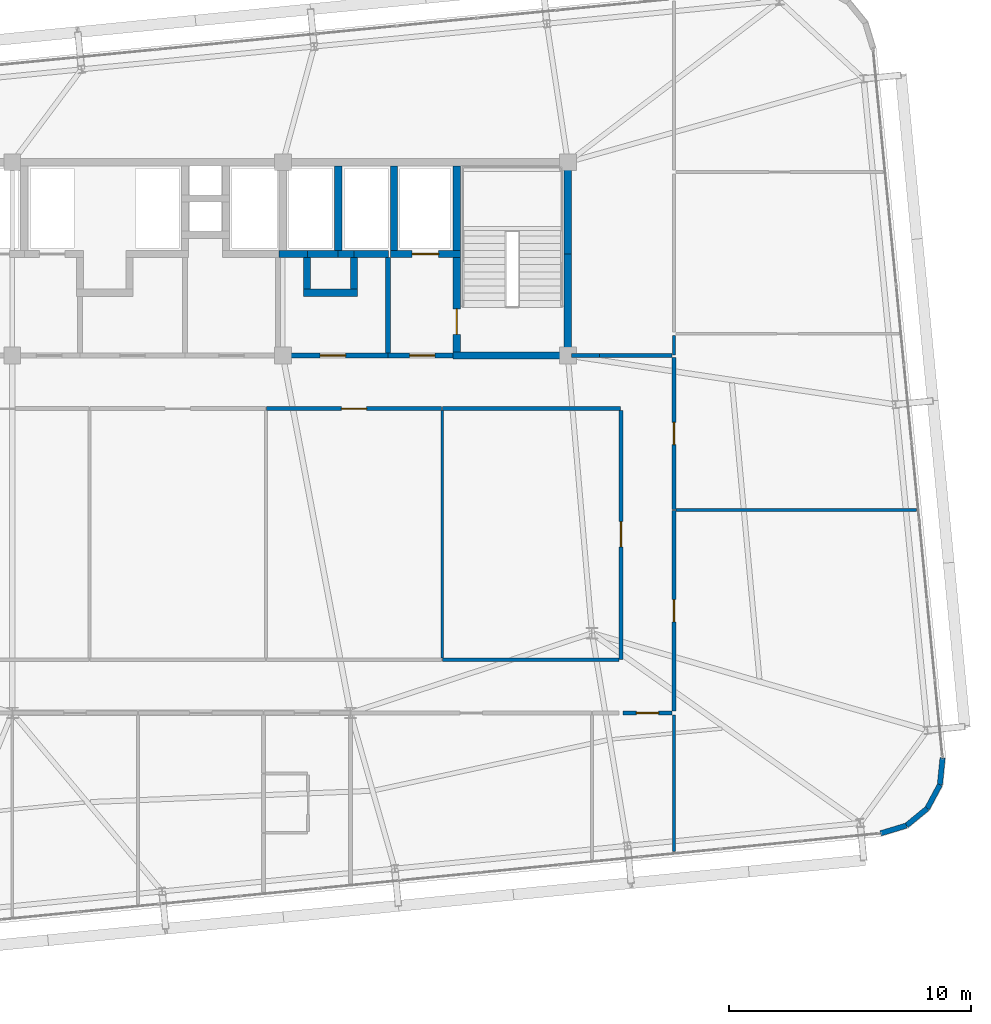
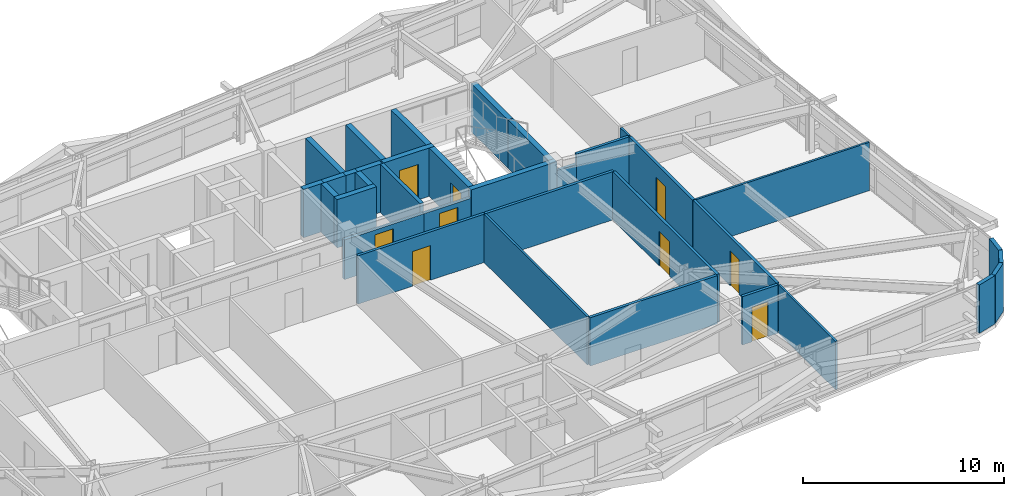
# One storey, part 48 of 52: 35 walls, 9 doors, 9 openings.
"""IFC4 building model written with IfcOpenShell, lengths in metres."""

from ifc_helpers import new_model, si_unit, direction, frame, frame_2d, origin, place, context, subcontext, project, spatial, rectangle, extrude, source, transform, mapped, material, layer, layer_set, type_object, element, fill, save


model = new_model("IFC4")

# Units and contexts
model_context = context("Model", 3, precision=1e-05, world=origin(), true_north=direction((0.0, 1.0)))
body_context = subcontext(model_context, "Body", "Model", "MODEL_VIEW")
ifc_project = project(units=[si_unit("LENGTHUNIT", "METRE"), si_unit("AREAUNIT", "SQUARE_METRE"), si_unit("VOLUMEUNIT", "CUBIC_METRE"), si_unit("PLANEANGLEUNIT", "RADIAN"), si_unit("MASSUNIT", "GRAM", prefix="KILO")], contexts=[model_context])

# Site, building, storey
site_placement = place(None, origin())
site = spatial("IfcSite", under=ifc_project, at=site_placement, CompositionType="ELEMENT")
building_placement = place(site_placement, origin())
building = spatial("IfcBuilding", under=site, at=building_placement, Name="Taldren Reach Tower", CompositionType="ELEMENT")
storey_placement = place(building_placement, frame((0.0, 0.0, 96.60009765625)))
storey = spatial("IfcBuildingStorey", under=building, at=storey_placement, Name="L29", CompositionType="ELEMENT", Elevation=96.60009765625)

# Walls
ifc_material_1 = material(Name="Pale Champagne Anodised Aluminium Cladding", Category="aluminium")
ifc_layer_1 = layer(ifc_material_1, 0.04, Name="Pale Champagne Anodised Aluminium Cladding", Category="aluminium")
ifc_material_2 = material(Name="Mineral Wool Acoustic Insulation", Category="insulation")
ifc_layer_2 = layer(ifc_material_2, 0.06, Name="Mineral Wool Acoustic Insulation", Category="insulation")
ifc_material_3 = material(Name="Steel Gr 350 (C350L0)", Category="steel")
ifc_layer_3 = layer(ifc_material_3, 0.12, Name="Steel Gr 350 (C350L0)", Category="steel")
ifc_layer_set_1 = layer_set([ifc_layer_1, ifc_layer_2, ifc_layer_3], Name="Pale Champagne Aluminium Cladding and Steel Gr 350 Stud Framing")
wall_type_1 = type_object("IfcWallType", Name="EW-CRN-220", PredefinedType="SOLIDWALL", material=ifc_layer_set_1)
shared_shape_1 = source(origin(), body_context, "Body", "SweptSolid", [
    extrude(rectangle(XDim=1.115966796875, YDim=0.219970703125, at=frame_2d((0.55810546875, 0.0))), origin(), (0.0, 0.0, 1.0), 2.929931640625),
])
for number, where, z_axis, x_axis, name in (
    (1, (65.01708984375, 4.537109375, 0.0), (0.0, 0.0, 1.0), (0.773342870285, 0.633988016432, 0.0), "Rounded-corner pale-metal facade wall L29-SE2"),
    (2, (66.406494140625, 6.228515625, 0.0), (0.0, 0.0, 1.0), (0.09844234778, 0.995142755671, 0.0), "Rounded-corner pale-metal facade wall L29-SE4"),
):
    element("IfcWall", number, at=place(storey_placement, frame(where, z_axis=z_axis, x_axis=x_axis)), inside=storey, type_object=wall_type_1, Name=name, PredefinedType="SOLIDWALL", context=body_context, shape_type="MappedRepresentation", body=[
        mapped(shared_shape_1, transform((0.0, 0.0, 0.0), scale=1.0)),
    ])
shared_shape_2 = source(origin(), body_context, "Body", "SweptSolid", [
    extrude(rectangle(XDim=1.11572265625, YDim=0.219970703125, at=frame_2d((0.557861328125, 0.0))), origin(), (0.0, 0.0, 1.0), 2.929931640625),
])
for number, where, z_axis, x_axis, name in (
    (3, (63.94921875, 4.213623046875, 0.0), (0.0, 0.0, 1.0), (0.957052003726, 0.289916301997, 0.0), "Rounded-corner pale-metal facade wall L29-SE1"),
    (4, (65.880126953125, 5.24462890625, 0.0), (0.0, 0.0, 1.0), (0.471723463201, 0.881746547635, 0.0), "Rounded-corner pale-metal facade wall L29-SE3"),
):
    element("IfcWall", number, at=place(storey_placement, frame(where, z_axis=z_axis, x_axis=x_axis)), inside=storey, type_object=wall_type_1, Name=name, PredefinedType="SOLIDWALL", context=body_context, shape_type="MappedRepresentation", body=[
        mapped(shared_shape_2, transform((0.0, 0.0, 0.0), scale=1.0)),
    ])

# Wall, opening, door
ifc_material_4 = material(Name="Fire-Rated Acoustic Plasterboard Stud Wall", Category="gypsum")
ifc_layer_4 = layer(ifc_material_4, 0.159912109375)
ifc_layer_set_2 = layer_set([ifc_layer_4], Name="Fire-Rated Acoustic Plasterboard Stud Wall")
wall_type_2 = type_object("IfcWallType", Name="IW-FIRE-160", PredefinedType="PARTITIONING", material=ifc_layer_set_2)
shared_shape_3 = source(origin(), body_context, "Body", "SweptSolid", [
    extrude(rectangle(XDim=10.2998046875, YDim=0.159912109375, at=frame_2d((5.14990234375, 0.0))), origin(), (0.0, 0.0, 1.0), 2.929931640625),
])
wall_1_placement = place(storey_placement, frame((53.199951171875, 11.420166015625, 0.0), z_axis=(0.0, 0.0, 1.0), x_axis=(0.0, 1.0, 0.0)))
wall_1 = element("IfcWall", 5, at=wall_1_placement, inside=storey, type_object=wall_type_2, Name="Interior Partition Wall W-INT-L29-052", PredefinedType="PARTITIONING", context=body_context, shape_type="MappedRepresentation", body=[
    mapped(shared_shape_3, transform((0.0, 0.0, 0.0), scale=1.0)),
])
shared_shape_4 = source(origin(), body_context, "Body", "SweptSolid", [
    extrude(rectangle(XDim=1.050048828125, YDim=2.10009765625, at=frame_2d((0.52490234375, 1.050048828125))), frame((0.0, 0.08984375, 0.0), z_axis=(0.0, -1.0, 0.0), x_axis=(1.0, 0.0, 0.0)), (0.0, 0.0, 1.0), 0.179931640625),
])
opening_1_placement = place(wall_1_placement, frame((4.65478515625, 0.0, 0.0)))
opening_1 = element("IfcOpeningElement", 6, at=opening_1_placement, cuts=wall_1, Name="Opening DF-105", PredefinedType="OPENING", context=body_context, shape_type="MappedRepresentation", body=[
    mapped(shared_shape_4, transform((0.0, 0.0, 0.0), scale=1.0)),
])
ifc_material_5 = material(Name="Fire-Rated Care and Stair Exit Door")
door_type_1 = type_object("IfcDoorType", Name="ID-FIRE-105", OperationType="NOTDEFINED", PredefinedType="DOOR", material=ifc_material_5)
shared_shape_5 = source(origin(), body_context, "Body", "SweptSolid", [
    extrude(rectangle(XDim=1.050048828125, YDim=2.10009765625, at=frame_2d((0.52490234375, 1.050048828125))), frame((0.0, 0.02490234375, 0.0), z_axis=(0.0, -1.0, 0.0), x_axis=(1.0, 0.0, 0.0)), (0.0, 0.0, 1.0), 0.050048828125),
])
door_1_placement = place(opening_1_placement, origin())
door_1 = element("IfcDoor", 7, at=door_1_placement, inside=storey, type_object=door_type_1, Name="Interior Door DR-L29-013", OperationType="SINGLE_SWING_RIGHT", OverallHeight=2.10009765625, OverallWidth=1.050048828125, PredefinedType="DOOR", context=body_context, shape_type="MappedRepresentation", body=[
    mapped(shared_shape_5, transform((0.0, 0.0, 0.0), scale=1.0)),
])
fill(opening_1, door_1)

shared_shape_6 = source(origin(), body_context, "Body", "SweptSolid", [
    extrude(rectangle(XDim=2.0400390625, YDim=0.159912109375, at=frame_2d((1.02001953125, 0.0))), origin(), (0.0, 0.0, 1.0), 2.929931640625),
])
wall_2_placement = place(storey_placement, frame((55.320068359375, 9.199951171875, 0.0), z_axis=(0.0, 0.0, 1.0), x_axis=(-1.0, 0.0, 0.0)))
wall_2 = element("IfcWall", 8, at=wall_2_placement, inside=storey, type_object=wall_type_2, Name="Interior Partition Wall W-INT-L29-055", PredefinedType="PARTITIONING", context=body_context, shape_type="MappedRepresentation", body=[
    mapped(shared_shape_6, transform((0.0, 0.0, 0.0), scale=1.0)),
])
shared_shape_7 = source(origin(), body_context, "Body", "SweptSolid", [
    extrude(rectangle(XDim=0.919921875, YDim=2.10009765625, at=frame_2d((0.4599609375, 1.050048828125))), frame((0.0, 0.08984375, 0.0), z_axis=(0.0, -1.0, 0.0), x_axis=(1.0, 0.0, 0.0)), (0.0, 0.0, 1.0), 0.179931640625),
])
opening_2_placement = place(wall_2_placement, frame((0.56005859375, 0.0, 0.0)))
opening_2 = element("IfcOpeningElement", 9, at=opening_2_placement, cuts=wall_2, Name="Opening DI-092", PredefinedType="OPENING", context=body_context, shape_type="MappedRepresentation", body=[
    mapped(shared_shape_7, transform((0.0, 0.0, 0.0), scale=1.0)),
])
ifc_material_6 = material(Name="Solid-Core Timber Suite Door", Category="wood")
door_type_2 = type_object("IfcDoorType", Name="ID-INT-092", OperationType="NOTDEFINED", PredefinedType="DOOR", material=ifc_material_6)
shared_shape_8 = source(origin(), body_context, "Body", "SweptSolid", [
    extrude(rectangle(XDim=0.919921875, YDim=2.10009765625, at=frame_2d((0.4599609375, 1.050048828125))), frame((0.0, 0.02490234375, 0.0), z_axis=(0.0, -1.0, 0.0), x_axis=(1.0, 0.0, 0.0)), (0.0, 0.0, 1.0), 0.050048828125),
])
door_2_placement = place(opening_2_placement, origin())
door_2 = element("IfcDoor", 10, at=door_2_placement, inside=storey, type_object=door_type_2, Name="Interior Door DR-L29-015", OperationType="SINGLE_SWING_RIGHT", OverallHeight=2.10009765625, OverallWidth=0.919921875, PredefinedType="DOOR", context=body_context, shape_type="MappedRepresentation", body=[
    mapped(shared_shape_8, transform((0.0, 0.0, 0.0), scale=1.0)),
])
fill(opening_2, door_2)

ifc_material_7 = material(Name="Concrete S50 (50 MPa)", Category="concrete")
ifc_layer_5 = layer(ifc_material_7, 0.199951171875)
ifc_layer_set_3 = layer_set([ifc_layer_5], Name="Concrete S50 (50 MPa)")
wall_type_3 = type_object("IfcWallType", Name="IW-CORE-200", PredefinedType="SOLIDWALL", material=ifc_layer_set_3)
shared_shape_9 = source(origin(), body_context, "Body", "SweptSolid", [
    extrude(rectangle(XDim=4.550048828125, YDim=0.199951171875, at=frame_2d((2.27490234375, 0.0))), origin(), (0.0, 0.0, 1.0), 2.39697265625),
])
wall_3_placement = place(storey_placement, frame((43.550048828125, 24.0, 0.0), z_axis=(0.0, 0.0, 1.0), x_axis=(-1.0, 0.0, 0.0)))
wall_3 = element("IfcWall", 11, at=wall_3_placement, inside=storey, type_object=wall_type_3, Name="Rear Core Shear Wall W-INT-L29-046", PredefinedType="SOLIDWALL", context=body_context, shape_type="MappedRepresentation", body=[
    mapped(shared_shape_9, transform((0.0, 0.0, 0.0), scale=1.0)),
])
shared_shape_10 = source(origin(), body_context, "Body", "SweptSolid", [
    extrude(rectangle(XDim=1.050048828125, YDim=2.10009765625, at=frame_2d((0.52490234375, 1.050048828125))), frame((0.0, 0.10986328125, 0.0), z_axis=(0.0, -1.0, 0.0), x_axis=(1.0, 0.0, 0.0)), (0.0, 0.0, 1.0), 0.219970703125),
])
opening_3_placement = place(wall_3_placement, frame((1.75, 0.0, 0.0)))
opening_3 = element("IfcOpeningElement", 12, at=opening_3_placement, cuts=wall_3, Name="Opening DF-105", PredefinedType="OPENING", context=body_context, shape_type="MappedRepresentation", body=[
    mapped(shared_shape_10, transform((0.0, 0.0, 0.0), scale=1.0)),
])
door_3_placement = place(opening_3_placement, frame((1.050048828125, 0.0, 0.0), z_axis=(0.0, 0.0, 1.0), x_axis=(-1.0, 0.0, 0.0)))
door_3 = element("IfcDoor", 13, at=door_3_placement, inside=storey, type_object=door_type_1, Name="Interior Door DR-L29-008", OperationType="SINGLE_SWING_RIGHT", OverallHeight=2.10009765625, OverallWidth=1.050048828125, PredefinedType="DOOR", context=body_context, shape_type="MappedRepresentation", body=[
    mapped(shared_shape_5, transform((0.0, 0.0, 0.0), scale=1.0)),
])
fill(opening_3, door_3)

shared_shape_11 = source(origin(), body_context, "Body", "SweptSolid", [
    extrude(rectangle(XDim=7.259521484375, YDim=0.159912109375, at=frame_2d((3.6298828125, 0.0))), origin(), (0.0, 0.0, 1.0), 2.929931640625),
])
wall_4_placement = place(storey_placement, frame((45.77978515625, 21.800048828125, 0.0), z_axis=(0.0, 0.0, 1.0), x_axis=(-1.0, 0.0, 0.0)))
wall_4 = element("IfcWall", 14, at=wall_4_placement, inside=storey, type_object=wall_type_2, Name="Interior Partition Wall W-INT-L29-051", PredefinedType="PARTITIONING", context=body_context, shape_type="MappedRepresentation", body=[
    mapped(shared_shape_11, transform((0.0, 0.0, 0.0), scale=1.0)),
])
opening_4_placement = place(wall_4_placement, frame((3.104736328125, 0.0, 0.0)))
opening_4 = element("IfcOpeningElement", 15, at=opening_4_placement, cuts=wall_4, Name="Opening DF-105", PredefinedType="OPENING", context=body_context, shape_type="MappedRepresentation", body=[
    mapped(shared_shape_4, transform((0.0, 0.0, 0.0), scale=1.0)),
])
door_4_placement = place(opening_4_placement, origin())
door_4 = element("IfcDoor", 16, at=door_4_placement, inside=storey, type_object=door_type_1, Name="Interior Door DR-L29-012", OperationType="SINGLE_SWING_LEFT", OverallHeight=2.10009765625, OverallWidth=1.050048828125, PredefinedType="DOOR", context=body_context, shape_type="MappedRepresentation", body=[
    mapped(shared_shape_5, transform((0.0, 0.0, 0.0), scale=1.0)),
])
fill(opening_4, door_4)

# Walls
shared_shape_12 = source(origin(), body_context, "Body", "SweptSolid", [
    extrude(rectangle(XDim=7.359375, YDim=0.159912109375, at=frame_2d((3.6796875, 0.0))), origin(), (0.0, 0.0, 1.0), 2.929931640625),
])
wall_5_placement = place(storey_placement, frame((53.1796875, 21.800048828125, 0.0), z_axis=(0.0, 0.0, 1.0), x_axis=(-1.0, 0.0, 0.0)))
element("IfcWall", 17, at=wall_5_placement, inside=storey, type_object=wall_type_2, Name="Interior Partition Wall W-INT-L29-053", PredefinedType="PARTITIONING", context=body_context, shape_type="MappedRepresentation", body=[
    mapped(shared_shape_12, transform((0.0, 0.0, 0.0), scale=1.0)),
])
shared_shape_13 = source(origin(), body_context, "Body", "SweptSolid", [
    extrude(rectangle(XDim=7.2998046875, YDim=0.159912109375, at=frame_2d((3.64990234375, 0.0))), origin(), (0.0, 0.0, 1.0), 2.929931640625),
])
wall_6_placement = place(storey_placement, frame((45.8203125, 11.39990234375, 0.0), z_axis=(0.0, 0.0, 1.0), x_axis=(1.0, 0.0, 0.0)))
element("IfcWall", 18, at=wall_6_placement, inside=storey, type_object=wall_type_2, Name="Interior Partition Wall W-INT-L29-066", PredefinedType="PARTITIONING", context=body_context, shape_type="MappedRepresentation", body=[
    mapped(shared_shape_13, transform((0.0, 0.0, 0.0), scale=1.0)),
])
ifc_material_8 = material(Name="Insulated Residential Stud Partition", Category="gypsum")
ifc_layer_6 = layer(ifc_material_8, 0.1201171875)
ifc_layer_set_4 = layer_set([ifc_layer_6], Name="Insulated Residential Stud Partition")
wall_type_4 = type_object("IfcWallType", Name="IW-PART-120", PredefinedType="PARTITIONING", material=ifc_layer_set_4)
shared_shape_14 = source(origin(), body_context, "Body", "SweptSolid", [
    extrude(rectangle(XDim=10.239990234375, YDim=0.1201171875, at=frame_2d((5.1201171875, 0.0))), origin(), (0.0, 0.0, 1.0), 2.929931640625),
])
wall_7_placement = place(storey_placement, frame((45.800048828125, 21.719970703125, 0.0), z_axis=(0.0, 0.0, 1.0), x_axis=(0.0, -1.0, 0.0)))
element("IfcWall", 19, at=wall_7_placement, inside=storey, type_object=wall_type_4, Name="Interior Partition Wall W-INT-L29-077", PredefinedType="PARTITIONING", context=body_context, shape_type="MappedRepresentation", body=[
    mapped(shared_shape_14, transform((0.0, 0.0, 0.0), scale=1.0)),
])
ifc_material_9 = material(Name="Concrete S65 (65 MPa)", Category="concrete")
ifc_layer_7 = layer(ifc_material_9, 0.300048828125)
ifc_layer_set_5 = layer_set([ifc_layer_7], Name="Concrete S65 (65 MPa)")
wall_type_5 = type_object("IfcWallType", Name="IW-CORE-300", PredefinedType="SHEAR", material=ifc_layer_set_5)
shared_shape_15 = source(origin(), body_context, "Body", "SweptSolid", [
    extrude(rectangle(XDim=4.050048828125, YDim=0.300048828125, at=frame_2d((2.02490234375, 0.0))), origin(), (0.0, 0.0, 1.0), 2.929931640625),
])
wall_8_placement = place(storey_placement, frame((51.0, 24.14990234375, 0.0), z_axis=(0.0, 0.0, 1.0), x_axis=(0.0, 1.0, 0.0)))
element("IfcWall", 20, at=wall_8_placement, inside=storey, type_object=wall_type_5, Name="Rear Core Shear Wall W-CORE-L29-EAST1", PredefinedType="SHEAR", context=body_context, shape_type="MappedRepresentation", body=[
    mapped(shared_shape_15, transform((0.0, 0.0, 0.0), scale=1.0)),
])
shared_shape_16 = source(origin(), body_context, "Body", "SweptSolid", [
    extrude(rectangle(XDim=3.650146484375, YDim=0.300048828125, at=frame_2d((1.8251953125, 0.0))), origin(), (0.0, 0.0, 1.0), 2.929931640625),
])
wall_9_placement = place(storey_placement, frame((51.0, 28.199951171875, 0.0), z_axis=(0.0, 0.0, 1.0), x_axis=(0.0, 1.0, 0.0)))
element("IfcWall", 21, at=wall_9_placement, inside=storey, type_object=wall_type_5, Name="Rear Core Shear Wall W-CORE-L29-EAST2", PredefinedType="SHEAR", context=body_context, shape_type="MappedRepresentation", body=[
    mapped(shared_shape_16, transform((0.0, 0.0, 0.0), scale=1.0)),
])
shared_shape_17 = source(origin(), body_context, "Body", "SweptSolid", [
    extrude(rectangle(XDim=3.5, YDim=0.300048828125, at=frame_2d((1.75, 0.0))), origin(), (0.0, 0.0, 1.0), 2.929931640625),
])
for number, where, z_axis, x_axis, name in (
    (22, (46.39990234375, 31.85009765625, 0.0), (0.0, 0.0, 1.0), (0.0, -1.0, 0.0), "Rear Core Shear Wall W-INT-L29-008"),
    (23, (43.800048828125, 31.85009765625, 0.0), (0.0, 0.0, 1.0), (0.0, -1.0, 0.0), "Rear Core Shear Wall W-INT-L29-012"),
    (24, (41.5, 28.35009765625, 0.0), (0.0, 0.0, 1.0), (0.0, 1.0, 0.0), "Rear Core Shear Wall W-INT-L29-039"),
):
    element("IfcWall", number, at=place(storey_placement, frame(where, z_axis=z_axis, x_axis=x_axis)), inside=storey, type_object=wall_type_5, Name=name, PredefinedType="SHEAR", context=body_context, shape_type="MappedRepresentation", body=[
        mapped(shared_shape_17, transform((0.0, 0.0, 0.0), scale=1.0)),
    ])

# Wall, opening, door
shared_shape_18 = source(origin(), body_context, "Body", "SweptSolid", [
    extrude(rectangle(XDim=3.900146484375, YDim=0.300048828125, at=frame_2d((1.9501953125, 0.0))), origin(), (0.0, 0.0, 1.0), 2.929931640625),
])
wall_10_placement = place(storey_placement, frame((46.39990234375, 28.050048828125, 0.0), z_axis=(0.0, 0.0, 1.0), x_axis=(0.0, -1.0, 0.0)))
wall_10 = element("IfcWall", 25, at=wall_10_placement, inside=storey, type_object=wall_type_5, Name="Rear Core Shear Wall W-INT-L29-009", PredefinedType="SHEAR", context=body_context, shape_type="MappedRepresentation", body=[
    mapped(shared_shape_18, transform((0.0, 0.0, 0.0), scale=1.0)),
])
shared_shape_19 = source(origin(), body_context, "Body", "SweptSolid", [
    extrude(rectangle(XDim=1.050048828125, YDim=2.10009765625, at=frame_2d((0.52490234375, 1.050048828125))), frame((0.0, 0.16015625, 0.0), z_axis=(0.0, -1.0, 0.0), x_axis=(1.0, 0.0, 0.0)), (0.0, 0.0, 1.0), 0.320068359375),
])
opening_5_placement = place(wall_10_placement, frame((2.125, 0.0, 0.0)))
opening_5 = element("IfcOpeningElement", 26, at=opening_5_placement, cuts=wall_10, Name="Opening DF-105", PredefinedType="OPENING", context=body_context, shape_type="MappedRepresentation", body=[
    mapped(shared_shape_19, transform((0.0, 0.0, 0.0), scale=1.0)),
])
door_5_placement = place(opening_5_placement, origin())
door_5 = element("IfcDoor", 27, at=door_5_placement, inside=storey, type_object=door_type_1, Name="Fire Exit Stair Door DR-L29-003", OperationType="SINGLE_SWING_RIGHT", OverallHeight=2.10009765625, OverallWidth=1.050048828125, PredefinedType="DOOR", context=body_context, shape_type="MappedRepresentation", body=[
    mapped(shared_shape_5, transform((0.0, 0.0, 0.0), scale=1.0)),
])
fill(opening_5, door_5)

# Wall
shared_shape_20 = source(origin(), body_context, "Body", "SweptSolid", [
    extrude(rectangle(XDim=4.89990234375, YDim=0.300048828125, at=frame_2d((2.449951171875, 0.0))), origin(), (0.0, 0.0, 1.0), 2.929931640625),
])
wall_11_placement = place(storey_placement, frame((46.25, 24.0, 0.0), z_axis=(0.0, 0.0, 1.0), x_axis=(1.0, 0.0, 0.0)))
element("IfcWall", 28, at=wall_11_placement, inside=storey, type_object=wall_type_5, Name="Rear Core Shear Wall W-INT-L29-010", PredefinedType="SHEAR", context=body_context, shape_type="MappedRepresentation", body=[
    mapped(shared_shape_20, transform((0.0, 0.0, 0.0), scale=1.0)),
])

# Wall, opening, door
shared_shape_21 = source(origin(), body_context, "Body", "SweptSolid", [
    extrude(rectangle(XDim=2.900146484375, YDim=0.300048828125, at=frame_2d((1.4501953125, 0.0))), origin(), (0.0, 0.0, 1.0), 2.929931640625),
])
wall_12_placement = place(storey_placement, frame((43.64990234375, 28.199951171875, 0.0), z_axis=(0.0, 0.0, 1.0), x_axis=(1.0, 0.0, 0.0)))
wall_12 = element("IfcWall", 29, at=wall_12_placement, inside=storey, type_object=wall_type_5, Name="Rear Core Shear Wall W-INT-L29-011", PredefinedType="SHEAR", context=body_context, shape_type="MappedRepresentation", body=[
    mapped(shared_shape_21, transform((0.0, 0.0, 0.0), scale=1.0)),
])
shared_shape_22 = source(origin(), body_context, "Body", "SweptSolid", [
    extrude(rectangle(XDim=1.10009765625, YDim=2.14990234375, at=frame_2d((0.550048828125, 1.074951171875))), frame((0.0, 0.16015625, 0.0), z_axis=(0.0, -1.0, 0.0), x_axis=(1.0, 0.0, 0.0)), (0.0, 0.0, 1.0), 0.320068359375),
])
opening_6_placement = place(wall_12_placement, frame((0.89990234375, 0.0, 0.0)))
opening_6 = element("IfcOpeningElement", 30, at=opening_6_placement, cuts=wall_12, Name="Opening LD-FL2", PredefinedType="OPENING", context=body_context, shape_type="MappedRepresentation", body=[
    mapped(shared_shape_22, transform((0.0, 0.0, 0.0), scale=1.0)),
])
ifc_material_10 = material(Name="Stainless Steel Gr 316 Emergency Lift Landing Door", Category="steel")
door_type_3 = type_object("IfcDoorType", Name="LD-EMG-110", OperationType="SLIDING_TO_LEFT", PredefinedType="DOOR", material=ifc_material_10)
shared_shape_23 = source(origin(), body_context, "Body", "SweptSolid", [
    extrude(rectangle(XDim=1.10009765625, YDim=2.14990234375, at=frame_2d((0.550048828125, 1.074951171875))), frame((0.0, 0.02490234375, 0.0), z_axis=(0.0, -1.0, 0.0), x_axis=(1.0, 0.0, 0.0)), (0.0, 0.0, 1.0), 0.050048828125),
])
door_6_placement = place(opening_6_placement, origin())
door_6 = element("IfcDoor", 31, at=door_6_placement, inside=storey, type_object=door_type_3, Name="Lift Landing Door LD-FL2-L29", OperationType="SLIDING_TO_LEFT", OverallHeight=2.14990234375, OverallWidth=1.10009765625, PredefinedType="DOOR", context=body_context, shape_type="MappedRepresentation", body=[
    mapped(shared_shape_23, transform((0.0, 0.0, 0.0), scale=1.0)),
])
fill(opening_6, door_6)

# Wall
shared_shape_24 = source(origin(), body_context, "Body", "SweptSolid", [
    extrude(rectangle(XDim=3.949951171875, YDim=0.199951171875, at=frame_2d((1.97509765625, 0.0))), origin(), (0.0, 0.0, 1.0), 2.929931640625),
])
wall_13_placement = place(storey_placement, frame((43.550048828125, 28.050048828125, 0.0), z_axis=(0.0, 0.0, 1.0), x_axis=(0.0, -1.0, 0.0)))
element("IfcWall", 32, at=wall_13_placement, inside=storey, type_object=wall_type_3, Name="Rear Core Shear Wall W-INT-L29-013", PredefinedType="SOLIDWALL", context=body_context, shape_type="MappedRepresentation", body=[
    mapped(shared_shape_24, transform((0.0, 0.0, 0.0), scale=1.0)),
])

# Wall, opening, door
shared_shape_25 = source(origin(), body_context, "Body", "SweptSolid", [
    extrude(rectangle(XDim=2.699951171875, YDim=0.199951171875, at=frame_2d((1.35009765625, 0.0))), origin(), (0.0, 0.0, 1.0), 2.39697265625),
])
wall_14_placement = place(storey_placement, frame((43.550048828125, 24.0, 0.0), z_axis=(0.0, 0.0, 1.0), x_axis=(1.0, 0.0, 0.0)))
wall_14 = element("IfcWall", 33, at=wall_14_placement, inside=storey, type_object=wall_type_3, Name="Rear Core Shear Wall W-INT-L29-014", PredefinedType="SOLIDWALL", context=body_context, shape_type="MappedRepresentation", body=[
    mapped(shared_shape_25, transform((0.0, 0.0, 0.0), scale=1.0)),
])
opening_7_placement = place(wall_14_placement, frame((0.89990234375, 0.0, 0.0)))
opening_7 = element("IfcOpeningElement", 34, at=opening_7_placement, cuts=wall_14, Name="Opening DF-105", PredefinedType="OPENING", context=body_context, shape_type="MappedRepresentation", body=[
    mapped(shared_shape_10, transform((0.0, 0.0, 0.0), scale=1.0)),
])
door_7_placement = place(opening_7_placement, origin())
door_7 = element("IfcDoor", 35, at=door_7_placement, inside=storey, type_object=door_type_1, Name="Interior Door DR-L29-004", OperationType="SINGLE_SWING_LEFT", OverallHeight=2.10009765625, OverallWidth=1.050048828125, PredefinedType="DOOR", context=body_context, shape_type="MappedRepresentation", body=[
    mapped(shared_shape_5, transform((0.0, 0.0, 0.0), scale=1.0)),
])
fill(opening_7, door_7)

# Walls
shared_shape_26 = source(origin(), body_context, "Body", "SweptSolid", [
    extrude(rectangle(XDim=1.300048828125, YDim=0.300048828125, at=frame_2d((0.64990234375, 0.0))), origin(), (0.0, 0.0, 1.0), 2.929931640625),
])
for number, where, z_axis, x_axis, name in (
    (36, (40.199951171875, 28.050048828125, 0.0), (0.0, 0.0, 1.0), (0.0, -1.0, 0.0), "Rear Core Shear Wall W-INT-L29-027"),
    (37, (42.14990234375, 26.75, 0.0), (0.0, 0.0, 1.0), (0.0, 1.0, 0.0), "Rear Core Shear Wall W-INT-L29-028"),
):
    element("IfcWall", number, at=place(storey_placement, frame(where, z_axis=z_axis, x_axis=x_axis)), inside=storey, type_object=wall_type_5, Name=name, PredefinedType="SHEAR", context=body_context, shape_type="MappedRepresentation", body=[
        mapped(shared_shape_26, transform((0.0, 0.0, 0.0), scale=1.0)),
    ])
shared_shape_27 = source(origin(), body_context, "Body", "SweptSolid", [
    extrude(rectangle(XDim=1.320068359375, YDim=0.300048828125, at=frame_2d((0.66015625, 0.0))), origin(), (0.0, 0.0, 1.0), 2.929931640625),
])
wall_15_placement = place(storey_placement, frame((41.52001953125, 28.199951171875, 0.0), z_axis=(0.0, 0.0, 1.0), x_axis=(-1.0, 0.0, 0.0)))
element("IfcWall", 38, at=wall_15_placement, inside=storey, type_object=wall_type_5, Name="Rear Core Shear Wall W-INT-L29-024", PredefinedType="SHEAR", context=body_context, shape_type="MappedRepresentation", body=[
    mapped(shared_shape_27, transform((0.0, 0.0, 0.0), scale=1.0)),
])
shared_shape_28 = source(origin(), body_context, "Body", "SweptSolid", [
    extrude(rectangle(XDim=0.669921875, YDim=0.300048828125, at=frame_2d((0.3349609375, 0.0))), origin(), (0.0, 0.0, 1.0), 2.929931640625),
])
wall_16_placement = place(storey_placement, frame((42.14990234375, 28.199951171875, 0.0), z_axis=(0.0, 0.0, 1.0), x_axis=(-1.0, 0.0, 0.0)))
element("IfcWall", 39, at=wall_16_placement, inside=storey, type_object=wall_type_5, Name="Rear Core Shear Wall W-INT-L29-025", PredefinedType="SHEAR", context=body_context, shape_type="MappedRepresentation", body=[
    mapped(shared_shape_28, transform((0.0, 0.0, 0.0), scale=1.0)),
])
shared_shape_29 = source(origin(), body_context, "Body", "SweptSolid", [
    extrude(rectangle(XDim=1.440185546875, YDim=0.300048828125, at=frame_2d((0.72021484375, 0.0))), origin(), (0.0, 0.0, 1.0), 2.929931640625),
])
wall_17_placement = place(storey_placement, frame((42.1298828125, 28.199951171875, 0.0), z_axis=(0.0, 0.0, 1.0), x_axis=(1.0, 0.0, 0.0)))
element("IfcWall", 40, at=wall_17_placement, inside=storey, type_object=wall_type_5, Name="Rear Core Shear Wall W-INT-L29-041", PredefinedType="SHEAR", context=body_context, shape_type="MappedRepresentation", body=[
    mapped(shared_shape_29, transform((0.0, 0.0, 0.0), scale=1.0)),
])
shared_shape_30 = source(origin(), body_context, "Body", "SweptSolid", [
    extrude(rectangle(XDim=1.154541015625, YDim=0.159912109375, at=frame_2d((0.5771484375, 0.0))), origin(), (0.0, 0.0, 1.0), 2.327880859375),
])
wall_18_placement = place(storey_placement, frame((51.14990234375, 24.0, 0.0), z_axis=(0.0, 0.0, 1.0), x_axis=(1.0, 0.0, 0.0)))
element("IfcWall", 41, at=wall_18_placement, inside=storey, type_object=wall_type_2, Name="Interior Partition Wall W-INT-L29-061", PredefinedType="PARTITIONING", context=body_context, shape_type="MappedRepresentation", body=[
    mapped(shared_shape_30, transform((0.0, 0.0, 0.0), scale=1.0)),
])
shared_shape_31 = source(origin(), body_context, "Body", "SweptSolid", [
    extrude(rectangle(XDim=3.015625, YDim=0.159912109375, at=frame_2d((1.5078125, 0.0))), origin(), (0.0, 0.0, 1.0), 2.929931640625),
])
wall_19_placement = place(storey_placement, frame((52.304443359375, 24.0, 0.0), z_axis=(0.0, 0.0, 1.0), x_axis=(1.0, 0.0, 0.0)))
element("IfcWall", 42, at=wall_19_placement, inside=storey, type_object=wall_type_2, Name="Interior Partition Wall W-INT-L29-061 part 2", PredefinedType="PARTITIONING", context=body_context, shape_type="MappedRepresentation", body=[
    mapped(shared_shape_31, transform((0.0, 0.0, 0.0), scale=1.0)),
])
shared_shape_32 = source(origin(), body_context, "Body", "SweptSolid", [
    extrude(rectangle(XDim=2.25, YDim=0.300048828125, at=frame_2d((1.125, 0.0))), origin(), (0.0, 0.0, 1.0), 2.929931640625),
])
wall_20_placement = place(storey_placement, frame((40.050048828125, 26.60009765625, 0.0), z_axis=(0.0, 0.0, 1.0), x_axis=(1.0, 0.0, 0.0)))
element("IfcWall", 43, at=wall_20_placement, inside=storey, type_object=wall_type_5, Name="Rear Core Shear Wall W-INT-L29-026", PredefinedType="SHEAR", context=body_context, shape_type="MappedRepresentation", body=[
    mapped(shared_shape_32, transform((0.0, 0.0, 0.0), scale=1.0)),
])
shared_shape_33 = source(origin(), body_context, "Body", "SweptSolid", [
    extrude(rectangle(XDim=1.169921875, YDim=0.300048828125, at=frame_2d((0.5849609375, 0.0))), origin(), (0.0, 0.0, 1.0), 2.929931640625),
])
wall_21_placement = place(storey_placement, frame((39.050048828125, 28.199951171875, 0.0), z_axis=(0.0, 0.0, 1.0), x_axis=(1.0, 0.0, 0.0)))
element("IfcWall", 44, at=wall_21_placement, inside=storey, type_object=wall_type_5, Name="Rear Core Shear Wall W-INT-L29-040", PredefinedType="SHEAR", context=body_context, shape_type="MappedRepresentation", body=[
    mapped(shared_shape_33, transform((0.0, 0.0, 0.0), scale=1.0)),
])
shared_shape_34 = source(origin(), body_context, "Body", "SweptSolid", [
    extrude(rectangle(XDim=5.657958984375, YDim=0.1201171875, at=frame_2d((2.8291015625, 0.0))), origin(), (0.0, 0.0, 1.0), 2.929931640625),
])
wall_22_placement = place(storey_placement, frame((55.39990234375, 9.117919921875, 0.0), z_axis=(0.0, 0.0, 1.0), x_axis=(0.0, -1.0, 0.0)))
element("IfcWall", 45, at=wall_22_placement, inside=storey, type_object=wall_type_4, Name="Interior Partition Wall W-INT-L29-090", PredefinedType="PARTITIONING", context=body_context, shape_type="MappedRepresentation", body=[
    mapped(shared_shape_34, transform((0.0, 0.0, 0.0), scale=1.0)),
])

# Wall, opening, door
shared_shape_35 = source(origin(), body_context, "Body", "SweptSolid", [
    extrude(rectangle(XDim=8.2998046875, YDim=0.159912109375, at=frame_2d((4.14990234375, 0.0))), origin(), (0.0, 0.0, 1.0), 2.929931640625),
])
wall_23_placement = place(storey_placement, frame((55.39990234375, 17.579833984375, 0.0), z_axis=(0.0, 0.0, 1.0), x_axis=(0.0, -1.0, 0.0)))
wall_23 = element("IfcWall", 46, at=wall_23_placement, inside=storey, type_object=wall_type_2, Name="Interior Partition Wall W-INT-L29-058", PredefinedType="PARTITIONING", context=body_context, shape_type="MappedRepresentation", body=[
    mapped(shared_shape_35, transform((0.0, 0.0, 0.0), scale=1.0)),
])
opening_8_placement = place(wall_23_placement, frame((3.68994140625, 0.0, 0.0)))
opening_8 = element("IfcOpeningElement", 47, at=opening_8_placement, cuts=wall_23, Name="Opening DI-092", PredefinedType="OPENING", context=body_context, shape_type="MappedRepresentation", body=[
    mapped(shared_shape_7, transform((0.0, 0.0, 0.0), scale=1.0)),
])
door_8_placement = place(opening_8_placement, origin())
door_8 = element("IfcDoor", 48, at=door_8_placement, inside=storey, type_object=door_type_2, Name="Interior Door DR-L29-018", OperationType="SINGLE_SWING_LEFT", OverallHeight=2.10009765625, OverallWidth=0.919921875, PredefinedType="DOOR", context=body_context, shape_type="MappedRepresentation", body=[
    mapped(shared_shape_8, transform((0.0, 0.0, 0.0), scale=1.0)),
])
fill(opening_8, door_8)

shared_shape_36 = source(origin(), body_context, "Body", "SweptSolid", [
    extrude(rectangle(XDim=6.2998046875, YDim=0.159912109375, at=frame_2d((3.14990234375, 0.0))), origin(), (0.0, 0.0, 1.0), 2.929931640625),
])
wall_24_placement = place(storey_placement, frame((55.39990234375, 23.919921875, 0.0), z_axis=(0.0, 0.0, 1.0), x_axis=(0.0, -1.0, 0.0)))
wall_24 = element("IfcWall", 49, at=wall_24_placement, inside=storey, type_object=wall_type_2, Name="Interior Partition Wall W-INT-L29-059", PredefinedType="PARTITIONING", context=body_context, shape_type="MappedRepresentation", body=[
    mapped(shared_shape_36, transform((0.0, 0.0, 0.0), scale=1.0)),
])
opening_9_placement = place(wall_24_placement, frame((2.68994140625, 0.0, 0.0)))
opening_9 = element("IfcOpeningElement", 50, at=opening_9_placement, cuts=wall_24, Name="Opening DI-092", PredefinedType="OPENING", context=body_context, shape_type="MappedRepresentation", body=[
    mapped(shared_shape_7, transform((0.0, 0.0, 0.0), scale=1.0)),
])
door_9_placement = place(opening_9_placement, origin())
door_9 = element("IfcDoor", 51, at=door_9_placement, inside=storey, type_object=door_type_2, Name="Interior Door DR-L29-019", OperationType="SINGLE_SWING_RIGHT", OverallHeight=2.10009765625, OverallWidth=0.919921875, PredefinedType="DOOR", context=body_context, shape_type="MappedRepresentation", body=[
    mapped(shared_shape_8, transform((0.0, 0.0, 0.0), scale=1.0)),
])
fill(opening_9, door_9)

# Walls
shared_shape_37 = source(origin(), body_context, "Body", "SweptSolid", [
    extrude(rectangle(XDim=9.94775390625, YDim=0.1201171875, at=frame_2d((4.973876953125, 0.0))), origin(), (0.0, 0.0, 1.0), 2.929931640625),
])
wall_25_placement = place(storey_placement, frame((55.47998046875, 17.60009765625, 0.0), z_axis=(0.0, 0.0, 1.0), x_axis=(1.0, 0.0, 0.0)))
element("IfcWall", 52, at=wall_25_placement, inside=storey, type_object=wall_type_4, Name="Interior Partition Wall W-INT-L29-096", PredefinedType="PARTITIONING", context=body_context, shape_type="MappedRepresentation", body=[
    mapped(shared_shape_37, transform((0.0, 0.0, 0.0), scale=1.0)),
])
shared_shape_38 = source(origin(), body_context, "Body", "SweptSolid", [
    extrude(rectangle(XDim=0.7998046875, YDim=0.1201171875, at=frame_2d((0.39990234375, 0.0))), origin(), (0.0, 0.0, 1.0), 2.929931640625),
])
wall_26_placement = place(storey_placement, frame((55.39990234375, 24.020263671875, 0.0), z_axis=(0.0, 0.0, 1.0), x_axis=(0.0, 1.0, 0.0)))
element("IfcWall", 53, at=wall_26_placement, inside=storey, type_object=wall_type_4, Name="Interior Partition Wall W-INT-L29-098", PredefinedType="PARTITIONING", context=body_context, shape_type="MappedRepresentation", body=[
    mapped(shared_shape_38, transform((0.0, 0.0, 0.0), scale=1.0)),
])

save(model, "model.ifc")
